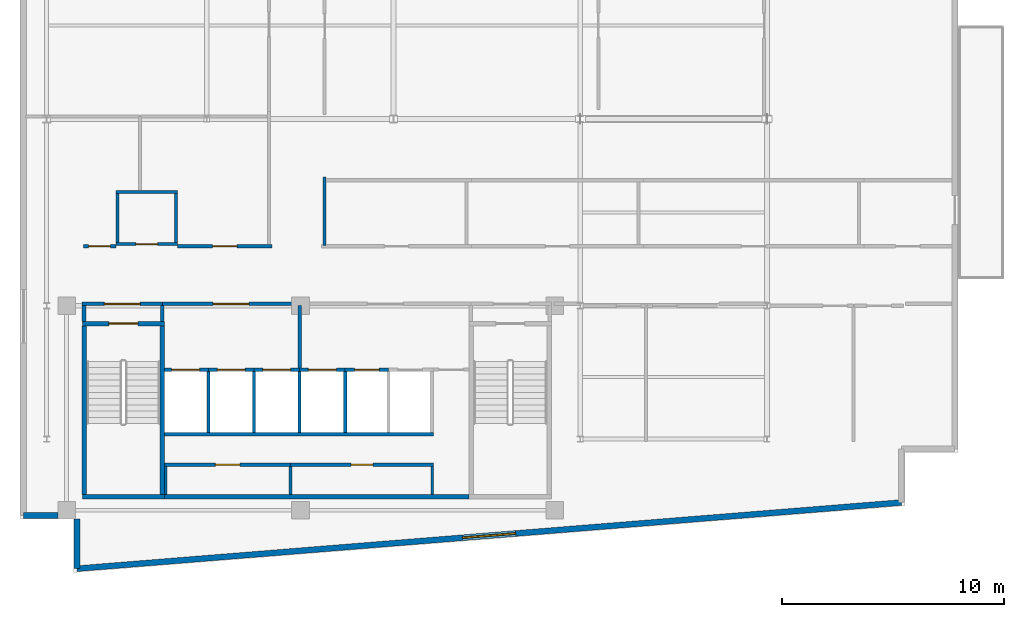
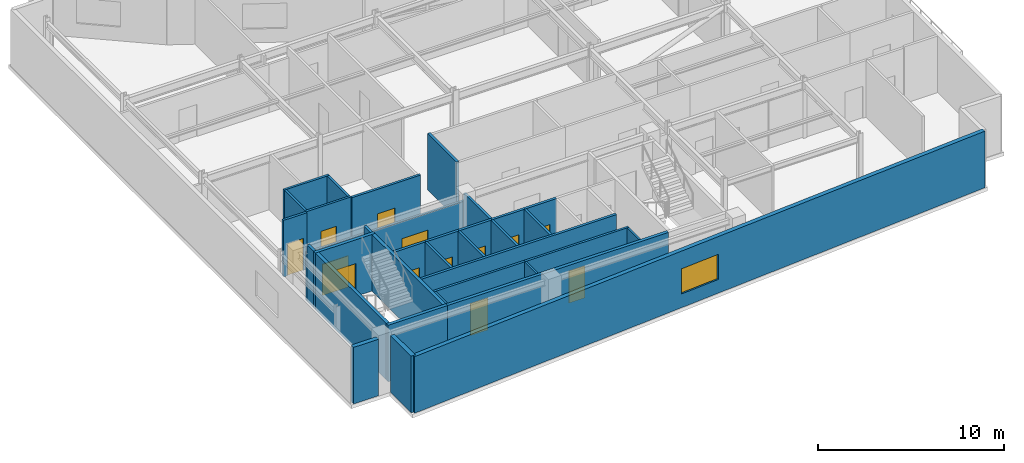
# One storey, part 11 of 17: 35 walls, 13 doors, 1 window, 14 openings.
"""IFC4 building model written with IfcOpenShell, lengths in metres."""

from ifc_helpers import new_model, si_unit, direction, frame, frame_2d, origin, place, context, subcontext, project, spatial, rectangle, extrude, material, layer, layer_set, type_object, element, fill, save


model = new_model("IFC4")

# Units and contexts
model_context = context("Model", 3, precision=1e-05, world=origin(), true_north=direction((0.0, 1.0)))
body_context = subcontext(model_context, "Body", "Model", "MODEL_VIEW")
ifc_project = project(units=[si_unit("LENGTHUNIT", "METRE"), si_unit("AREAUNIT", "SQUARE_METRE"), si_unit("VOLUMEUNIT", "CUBIC_METRE"), si_unit("PLANEANGLEUNIT", "RADIAN"), si_unit("MASSUNIT", "GRAM", prefix="KILO")], contexts=[model_context])

# Site, building, storey
site_placement = place(None, origin())
site = spatial("IfcSite", under=ifc_project, at=site_placement, CompositionType="ELEMENT")
building_placement = place(site_placement, origin())
building = spatial("IfcBuilding", under=site, at=building_placement, Name="Varnakote Quay Hospital", CompositionType="ELEMENT")
storey_placement = place(building_placement, frame((0.0, 0.0, 256.550048828125)))
storey = spatial("IfcBuildingStorey", under=building, at=storey_placement, Name="L63", CompositionType="ELEMENT", Elevation=256.550048828125)

# Wall
ifc_material_1 = material(Name="Fire-rated acoustic gypsum stud wall", Category="gypsum")
ifc_layer_1 = layer(ifc_material_1, 0.159912109375)
ifc_layer_set_1 = layer_set([ifc_layer_1], Name="Fire-rated acoustic gypsum stud wall")
wall_type_1 = type_object("IfcWallType", Name="WL-COMP-160", PredefinedType="PARTITIONING", material=ifc_layer_set_1)
wall_1_placement = place(storey_placement, frame((2.8798828125, 11.300048828125, 0.0), z_axis=(0.0, 0.0, 1.0), x_axis=(0.0, 1.0, 0.0)))
element("IfcWall", 1, at=wall_1_placement, inside=storey, type_object=wall_type_1, Name="L63 West Stair Vestibule West Wall", PredefinedType="PARTITIONING", context=body_context, shape_type="SweptSolid", body=[
    extrude(rectangle(XDim=0.699951171875, YDim=0.159912109375, at=frame_2d((0.35009765625, 0.0))), origin(), (0.0, 0.0, 1.0), 3.7099609375),
])

# Wall, opening, door
wall_2_placement = place(storey_placement, frame((2.800048828125, 12.080078125, 0.0), z_axis=(0.0, 0.0, 1.0), x_axis=(1.0, 0.0, 0.0)))
wall_2 = element("IfcWall", 2, at=wall_2_placement, inside=storey, type_object=wall_type_1, Name="L63 West Stair Vestibule Smoke Wall", PredefinedType="PARTITIONING", context=body_context, shape_type="SweptSolid", body=[
    extrude(rectangle(XDim=3.599853515625, YDim=0.159912109375, at=frame_2d((1.7998046875, 0.0))), origin(), (0.0, 0.0, 1.0), 3.156982421875),
])
opening_1_placement = place(wall_2_placement, frame((1.0, 0.0, 0.0)))
opening_1 = element("IfcOpeningElement", 3, at=opening_1_placement, cuts=wall_2, Name="Opening D-ST1L-L63", PredefinedType="OPENING", context=body_context, shape_type="SweptSolid", body=[
    extrude(rectangle(XDim=1.60009765625, YDim=2.050048828125, at=frame_2d((0.800048828125, 1.02490234375))), frame((0.0, 0.08984375, 0.0), z_axis=(0.0, -1.0, 0.0), x_axis=(1.0, 0.0, 0.0)), (0.0, 0.0, 1.0), 0.179931640625),
])
ifc_material_2 = material(Name="Fire-rated double smoke lobby door")
door_type_1 = type_object("IfcDoorType", Name="DR-LOBBY-FD60S-1600x2150", OperationType="NOTDEFINED", PredefinedType="DOOR", material=ifc_material_2)
door_1_placement = place(opening_1_placement, origin())
door_1 = element("IfcDoor", 4, at=door_1_placement, inside=storey, type_object=door_type_1, Name="L63 West Stair Vestibule Smoke Door", OperationType="DOUBLE_DOOR_SINGLE_SWING", OverallHeight=2.050048828125, OverallWidth=1.60009765625, PredefinedType="DOOR", context=body_context, shape_type="SweptSolid", body=[
    extrude(rectangle(XDim=1.60009765625, YDim=2.050048828125, at=frame_2d((0.800048828125, 1.02490234375))), frame((0.0, 0.02490234375, 0.0), z_axis=(0.0, -1.0, 0.0), x_axis=(1.0, 0.0, 0.0)), (0.0, 0.0, 1.0), 0.050048828125),
])
fill(opening_1, door_1)

# Wall
wall_3_placement = place(storey_placement, frame((6.39990234375, 11.300048828125, 0.0), z_axis=(0.0, 0.0, 1.0), x_axis=(0.0, 1.0, 0.0)))
element("IfcWall", 5, at=wall_3_placement, inside=storey, type_object=wall_type_1, Name="L63 Firefighting Lobby West Wall", PredefinedType="PARTITIONING", context=body_context, shape_type="SweptSolid", body=[
    extrude(rectangle(XDim=0.699951171875, YDim=0.159912109375, at=frame_2d((0.35009765625, 0.0))), origin(), (0.0, 0.0, 1.0), 3.7099609375),
])

# Wall, opening, door
wall_4_placement = place(storey_placement, frame((6.39990234375, 12.080078125, 0.0), z_axis=(0.0, 0.0, 1.0), x_axis=(1.0, 0.0, 0.0)))
wall_4 = element("IfcWall", 6, at=wall_4_placement, inside=storey, type_object=wall_type_1, Name="L63 Firefighting Lift Lobby Compartment Wall", PredefinedType="PARTITIONING", context=body_context, shape_type="SweptSolid", body=[
    extrude(rectangle(XDim=6.18017578125, YDim=0.159912109375, at=frame_2d((3.090087890625, 0.0))), origin(), (0.0, 0.0, 1.0), 3.156982421875),
])
opening_2_placement = place(wall_4_placement, frame((2.2900390625, 0.0, 0.0)))
opening_2 = element("IfcOpeningElement", 7, at=opening_2_placement, cuts=wall_4, Name="Opening D-FFL-L63", PredefinedType="OPENING", context=body_context, shape_type="SweptSolid", body=[
    extrude(rectangle(XDim=1.60009765625, YDim=2.050048828125, at=frame_2d((0.800048828125, 1.02490234375))), frame((0.0, 0.08984375, 0.0), z_axis=(0.0, -1.0, 0.0), x_axis=(1.0, 0.0, 0.0)), (0.0, 0.0, 1.0), 0.179931640625),
])
door_2_placement = place(opening_2_placement, origin())
door_2 = element("IfcDoor", 8, at=door_2_placement, inside=storey, type_object=door_type_1, Name="L63 Firefighting Smoke Vestibule Door", OperationType="DOUBLE_DOOR_SINGLE_SWING", OverallHeight=2.050048828125, OverallWidth=1.60009765625, PredefinedType="DOOR", context=body_context, shape_type="SweptSolid", body=[
    extrude(rectangle(XDim=1.60009765625, YDim=2.050048828125, at=frame_2d((0.800048828125, 1.02490234375))), frame((0.0, 0.02490234375, 0.0), z_axis=(0.0, -1.0, 0.0), x_axis=(1.0, 0.0, 0.0)), (0.0, 0.0, 1.0), 0.050048828125),
])
fill(opening_2, door_2)

# Walls
wall_5_placement = place(storey_placement, frame((12.580078125, 9.2099609375, 0.0), z_axis=(0.0, 0.0, 1.0), x_axis=(0.0, 1.0, 0.0)))
element("IfcWall", 9, at=wall_5_placement, inside=storey, type_object=wall_type_1, Name="L63 Firefighting to Service Lobby Wall", PredefinedType="PARTITIONING", context=body_context, shape_type="SweptSolid", body=[
    extrude(rectangle(XDim=2.7900390625, YDim=0.159912109375, at=frame_2d((1.39501953125, 0.0))), origin(), (0.0, 0.0, 1.0), 3.7099609375),
])
ifc_material_3 = material(Name="Concrete N50 (f'c 50 MPa)", Category="concrete")
ifc_layer_2 = layer(ifc_material_3, 0.199951171875)
ifc_layer_set_2 = layer_set([ifc_layer_2], Name="Concrete N50 (f'c 50 MPa)")
wall_type_2 = type_object("IfcWallType", Name="WL-CORE-N50-200", PredefinedType="SHEAR", material=ifc_layer_set_2)
wall_6_placement = place(storey_placement, frame((6.5, 3.39990234375, 0.0), z_axis=(0.0, 0.0, 1.0), x_axis=(1.0, 0.0, 0.0)))
element("IfcWall", 10, at=wall_6_placement, inside=storey, type_object=wall_type_2, Name="L63 Rear Core South Shear Wall", PredefinedType="SHEAR", context=body_context, shape_type="SweptSolid", body=[
    extrude(rectangle(XDim=13.699951171875, YDim=0.199951171875, at=frame_2d((6.85009765625, 0.0))), origin(), (0.0, 0.0, 1.0), 3.7099609375),
])
ifc_material_4 = material(Name="Precast concrete N50 (f'c 50 MPa)", Category="concrete")
ifc_layer_3 = layer(ifc_material_4, 0.260009765625)
ifc_layer_set_3 = layer_set([ifc_layer_3], Name="Precast concrete N50 (f'c 50 MPa)")
wall_type_3 = type_object("IfcWallType", Name="WL-EXT-BRICK-260", PredefinedType="STANDARD", material=ifc_layer_set_3)
wall_7_placement = place(storey_placement, frame((2.56005859375, 2.4150390625, 0.0), z_axis=(0.0, 0.0, 1.0), x_axis=(0.0, -1.0, 0.0)))
element("IfcWall", 11, at=wall_7_placement, inside=storey, type_object=wall_type_3, Name="L63 Brick-Faced Precast Exterior Wall", PredefinedType="STANDARD", context=body_context, shape_type="SweptSolid", body=[
    extrude(rectangle(XDim=2.24169921875, YDim=0.260009765625, at=frame_2d((1.120849609375, 0.0))), origin(), (0.0, 0.0, 1.0), 3.7099609375),
])

# Wall, opening, window
wall_8_placement = place(storey_placement, frame((2.56005859375, 0.17333984375, 0.0), z_axis=(0.0, 0.0, 1.0), x_axis=(0.996798206282, 0.079958338856, 0.0)))
wall_8 = element("IfcWall", 12, at=wall_8_placement, inside=storey, type_object=wall_type_3, Name="L63 Brick-Faced Precast Exterior Wall", PredefinedType="STANDARD", context=body_context, shape_type="SweptSolid", body=[
    extrude(rectangle(XDim=37.198974609375, YDim=0.260009765625, at=frame_2d((18.599609375, 0.0))), origin(), (0.0, 0.0, 1.0), 3.7099609375),
])
opening_3_placement = place(wall_8_placement, frame((17.399658203125, 0.0, 0.89990234375)))
opening_3 = element("IfcOpeningElement", 13, at=opening_3_placement, cuts=wall_8, Name="Opening WN-0254", PredefinedType="OPENING", context=body_context, shape_type="SweptSolid", body=[
    extrude(rectangle(XDim=2.39990234375, YDim=1.64990234375, at=frame_2d((1.199951171875, 0.824951171875))), frame((0.0, 0.139892578125, 0.0), z_axis=(0.0, -1.0, 0.0), x_axis=(1.0, 0.0, 0.0)), (0.0, 0.0, 1.0), 0.280029296875),
])
ifc_material_5 = material(Name="Double-glazed low-E solar glass", Category="glass")
window_type = type_object("IfcWindowType", Name="WIN-CLIN-2400x1650", PartitioningType="SINGLE_PANEL", PredefinedType="WINDOW", material=ifc_material_5)
window_placement = place(opening_3_placement, origin())
window = element("IfcWindow", 14, at=window_placement, inside=storey, type_object=window_type, Name="L63 Solar-Control Clinical Window", OverallHeight=1.64990234375, OverallWidth=2.39990234375, PartitioningType="SINGLE_PANEL", PredefinedType="WINDOW", context=body_context, shape_type="SweptSolid", body=[
    extrude(rectangle(XDim=2.39990234375, YDim=1.64990234375, at=frame_2d((1.199951171875, 0.824951171875))), frame((0.0, 0.030029296875, 0.0), z_axis=(0.0, -1.0, 0.0), x_axis=(1.0, 0.0, 0.0)), (0.0, 0.0, 1.0), 0.06005859375),
])
fill(opening_3, window)

# Walls
wall_9_placement = place(storey_placement, frame((0.159912109375, 2.56005859375, 0.0), z_axis=(0.0, 0.0, 1.0), x_axis=(1.0, 0.0, 0.0)))
element("IfcWall", 15, at=wall_9_placement, inside=storey, type_object=wall_type_3, Name="L63 Brick-Faced Precast Exterior Wall", PredefinedType="STANDARD", context=body_context, shape_type="SweptSolid", body=[
    extrude(rectangle(XDim=1.55517578125, YDim=0.260009765625, at=frame_2d((0.777587890625, 0.0))), origin(), (0.0, 0.0, 1.0), 3.7099609375),
])
ifc_material_6 = material(Name="Concrete N50 (f'c 50 MPa)", Category="concrete")
ifc_layer_4 = layer(ifc_material_6, 0.14990234375)
ifc_layer_set_4 = layer_set([ifc_layer_4], Name="Concrete N50 (f'c 50 MPa)")
wall_type_4 = type_object("IfcWallType", Name="WL-SHAFT-N50-150", PredefinedType="SHEAR", material=ifc_layer_set_4)
for number, where, z_axis, x_axis, name in (
    (16, (8.47509765625, 6.300048828125, 0.0), (0.0, 0.0, 1.0), (0.0, 1.0, 0.0), "L63 LF-FF1 Hoistway Divider Wall"),
    (17, (10.52490234375, 6.300048828125, 0.0), (0.0, 0.0, 1.0), (0.0, 1.0, 0.0), "L63 LF-FF2 Hoistway Divider Wall"),
    (18, (12.574951171875, 6.300048828125, 0.0), (0.0, 0.0, 1.0), (0.0, 1.0, 0.0), "L63 LF-SV1 Hoistway Divider Wall"),
    (19, (14.625, 6.300048828125, 0.0), (0.0, 0.0, 1.0), (0.0, 1.0, 0.0), "L63 LF-SV2 Hoistway Divider Wall"),
):
    element("IfcWall", number, at=place(storey_placement, frame(where, z_axis=z_axis, x_axis=x_axis)), inside=storey, type_object=wall_type_4, Name=name, PredefinedType="SHEAR", context=body_context, shape_type="SweptSolid", body=[
        extrude(rectangle(XDim=2.75, YDim=0.14990234375, at=frame_2d((1.375, 0.0))), origin(), (0.0, 0.0, 1.0), 3.7099609375),
    ])
ifc_material_7 = material(Name="Concrete N50 (f'c 50 MPa)", Category="concrete")
ifc_layer_5 = layer(ifc_material_7, 0.159912109375)
ifc_layer_set_5 = layer_set([ifc_layer_5], Name="Concrete N50 (f'c 50 MPa)")
wall_type_5 = type_object("IfcWallType", Name="WL-SHAFT-N50-160", PredefinedType="SHEAR", material=ifc_layer_set_5)
wall_10_placement = place(storey_placement, frame((6.5, 6.219970703125, 0.0), z_axis=(0.0, 0.0, 1.0), x_axis=(1.0, 0.0, 0.0)))
element("IfcWall", 20, at=wall_10_placement, inside=storey, type_object=wall_type_5, Name="L63 REAR Lift Bank Back Shear Wall", PredefinedType="SHEAR", context=body_context, shape_type="SweptSolid", body=[
    extrude(rectangle(XDim=12.110107421875, YDim=0.159912109375, at=frame_2d((6.05517578125, 0.0))), origin(), (0.0, 0.0, 1.0), 3.7099609375),
])

# Wall, opening, door
wall_11_placement = place(storey_placement, frame((6.5, 9.1298828125, 0.0), z_axis=(0.0, 0.0, 1.0), x_axis=(1.0, 0.0, 0.0)))
wall_11 = element("IfcWall", 21, at=wall_11_placement, inside=storey, type_object=wall_type_5, Name="L63 LF-FF1 Hoistway Front Wall", PredefinedType="SHEAR", context=body_context, shape_type="SweptSolid", body=[
    extrude(rectangle(XDim=1.97509765625, YDim=0.159912109375, at=frame_2d((0.987548828125, 0.0))), origin(), (0.0, 0.0, 1.0), 3.7099609375),
])
opening_4_placement = place(wall_11_placement, frame((0.324951171875, 0.0, 0.0)))
opening_4 = element("IfcOpeningElement", 22, at=opening_4_placement, cuts=wall_11, Name="Opening LD-FF1-L63", PredefinedType="OPENING", context=body_context, shape_type="SweptSolid", body=[
    extrude(rectangle(XDim=1.25, YDim=2.14990234375, at=frame_2d((0.625, 1.074951171875))), frame((0.0, 0.08984375, 0.0), z_axis=(0.0, -1.0, 0.0), x_axis=(1.0, 0.0, 0.0)), (0.0, 0.0, 1.0), 0.179931640625),
])
ifc_material_8 = material(Name="Stainless steel lift landing sliding door", Category="steel")
door_type_2 = type_object("IfcDoorType", Name="DR-LIFT-LD-1250x2150", OperationType="NOTDEFINED", PredefinedType="DOOR", material=ifc_material_8)
door_3_placement = place(opening_4_placement, origin())
door_3 = element("IfcDoor", 23, at=door_3_placement, inside=storey, type_object=door_type_2, Name="L63 LF-FF1 Lift Landing Sliding Door", OperationType="SLIDING_TO_LEFT", OverallHeight=2.14990234375, OverallWidth=1.25, PredefinedType="DOOR", context=body_context, shape_type="SweptSolid", body=[
    extrude(rectangle(XDim=1.25, YDim=2.14990234375, at=frame_2d((0.625, 1.074951171875))), frame((0.0, 0.02490234375, 0.0), z_axis=(0.0, -1.0, 0.0), x_axis=(1.0, 0.0, 0.0)), (0.0, 0.0, 1.0), 0.050048828125),
])
fill(opening_4, door_3)

wall_12_placement = place(storey_placement, frame((8.47509765625, 9.1298828125, 0.0), z_axis=(0.0, 0.0, 1.0), x_axis=(1.0, 0.0, 0.0)))
wall_12 = element("IfcWall", 24, at=wall_12_placement, inside=storey, type_object=wall_type_5, Name="L63 LF-FF2 Hoistway Front Wall", PredefinedType="SHEAR", context=body_context, shape_type="SweptSolid", body=[
    extrude(rectangle(XDim=2.0498046875, YDim=0.159912109375, at=frame_2d((1.02490234375, 0.0))), origin(), (0.0, 0.0, 1.0), 3.7099609375),
])
opening_5_placement = place(wall_12_placement, frame((0.39990234375, 0.0, 0.0)))
opening_5 = element("IfcOpeningElement", 25, at=opening_5_placement, cuts=wall_12, Name="Opening LD-FF2-L63", PredefinedType="OPENING", context=body_context, shape_type="SweptSolid", body=[
    extrude(rectangle(XDim=1.25, YDim=2.14990234375, at=frame_2d((0.625, 1.074951171875))), frame((0.0, 0.08984375, 0.0), z_axis=(0.0, -1.0, 0.0), x_axis=(1.0, 0.0, 0.0)), (0.0, 0.0, 1.0), 0.179931640625),
])
door_4_placement = place(opening_5_placement, origin())
door_4 = element("IfcDoor", 26, at=door_4_placement, inside=storey, type_object=door_type_2, Name="L63 LF-FF2 Lift Landing Sliding Door", OperationType="SLIDING_TO_LEFT", OverallHeight=2.14990234375, OverallWidth=1.25, PredefinedType="DOOR", context=body_context, shape_type="SweptSolid", body=[
    extrude(rectangle(XDim=1.25, YDim=2.14990234375, at=frame_2d((0.625, 1.074951171875))), frame((0.0, 0.02490234375, 0.0), z_axis=(0.0, -1.0, 0.0), x_axis=(1.0, 0.0, 0.0)), (0.0, 0.0, 1.0), 0.050048828125),
])
fill(opening_5, door_4)

wall_13_placement = place(storey_placement, frame((10.52490234375, 9.1298828125, 0.0), z_axis=(0.0, 0.0, 1.0), x_axis=(1.0, 0.0, 0.0)))
wall_13 = element("IfcWall", 27, at=wall_13_placement, inside=storey, type_object=wall_type_5, Name="L63 LF-SV1 Hoistway Front Wall", PredefinedType="SHEAR", context=body_context, shape_type="SweptSolid", body=[
    extrude(rectangle(XDim=2.050048828125, YDim=0.159912109375, at=frame_2d((1.02490234375, 0.0))), origin(), (0.0, 0.0, 1.0), 3.7099609375),
])
opening_6_placement = place(wall_13_placement, frame((0.39990234375, 0.0, 0.0)))
opening_6 = element("IfcOpeningElement", 28, at=opening_6_placement, cuts=wall_13, Name="Opening LD-SV1-L63", PredefinedType="OPENING", context=body_context, shape_type="SweptSolid", body=[
    extrude(rectangle(XDim=1.25, YDim=2.14990234375, at=frame_2d((0.625, 1.074951171875))), frame((0.0, 0.08984375, 0.0), z_axis=(0.0, -1.0, 0.0), x_axis=(1.0, 0.0, 0.0)), (0.0, 0.0, 1.0), 0.179931640625),
])
door_5_placement = place(opening_6_placement, origin())
door_5 = element("IfcDoor", 29, at=door_5_placement, inside=storey, type_object=door_type_2, Name="L63 LF-SV1 Lift Landing Sliding Door", OperationType="SLIDING_TO_LEFT", OverallHeight=2.14990234375, OverallWidth=1.25, PredefinedType="DOOR", context=body_context, shape_type="SweptSolid", body=[
    extrude(rectangle(XDim=1.25, YDim=2.14990234375, at=frame_2d((0.625, 1.074951171875))), frame((0.0, 0.02490234375, 0.0), z_axis=(0.0, -1.0, 0.0), x_axis=(1.0, 0.0, 0.0)), (0.0, 0.0, 1.0), 0.050048828125),
])
fill(opening_6, door_5)

wall_14_placement = place(storey_placement, frame((12.574951171875, 9.1298828125, 0.0), z_axis=(0.0, 0.0, 1.0), x_axis=(1.0, 0.0, 0.0)))
wall_14 = element("IfcWall", 30, at=wall_14_placement, inside=storey, type_object=wall_type_5, Name="L63 LF-SV2 Hoistway Front Wall", PredefinedType="SHEAR", context=body_context, shape_type="SweptSolid", body=[
    extrude(rectangle(XDim=2.050048828125, YDim=0.159912109375, at=frame_2d((1.02490234375, 0.0))), origin(), (0.0, 0.0, 1.0), 3.7099609375),
])
opening_7_placement = place(wall_14_placement, frame((0.39990234375, 0.0, 0.0)))
opening_7 = element("IfcOpeningElement", 31, at=opening_7_placement, cuts=wall_14, Name="Opening LD-SV2-L63", PredefinedType="OPENING", context=body_context, shape_type="SweptSolid", body=[
    extrude(rectangle(XDim=1.25, YDim=2.14990234375, at=frame_2d((0.625, 1.074951171875))), frame((0.0, 0.08984375, 0.0), z_axis=(0.0, -1.0, 0.0), x_axis=(1.0, 0.0, 0.0)), (0.0, 0.0, 1.0), 0.179931640625),
])
door_6_placement = place(opening_7_placement, origin())
door_6 = element("IfcDoor", 32, at=door_6_placement, inside=storey, type_object=door_type_2, Name="L63 LF-SV2 Lift Landing Sliding Door", OperationType="SLIDING_TO_LEFT", OverallHeight=2.14990234375, OverallWidth=1.25, PredefinedType="DOOR", context=body_context, shape_type="SweptSolid", body=[
    extrude(rectangle(XDim=1.25, YDim=2.14990234375, at=frame_2d((0.625, 1.074951171875))), frame((0.0, 0.02490234375, 0.0), z_axis=(0.0, -1.0, 0.0), x_axis=(1.0, 0.0, 0.0)), (0.0, 0.0, 1.0), 0.050048828125),
])
fill(opening_7, door_6)

wall_15_placement = place(storey_placement, frame((14.625, 9.1298828125, 0.0), z_axis=(0.0, 0.0, 1.0), x_axis=(1.0, 0.0, 0.0)))
wall_15 = element("IfcWall", 33, at=wall_15_placement, inside=storey, type_object=wall_type_5, Name="L63 LF-PH1 Hoistway Front Wall", PredefinedType="SHEAR", context=body_context, shape_type="SweptSolid", body=[
    extrude(rectangle(XDim=1.949951171875, YDim=0.159912109375, at=frame_2d((0.97509765625, 0.0))), origin(), (0.0, 0.0, 1.0), 3.7099609375),
])
opening_8_placement = place(wall_15_placement, frame((0.425048828125, 0.0, 0.0)))
opening_8 = element("IfcOpeningElement", 34, at=opening_8_placement, cuts=wall_15, Name="Opening LD-PH1-L63", PredefinedType="OPENING", context=body_context, shape_type="SweptSolid", body=[
    extrude(rectangle(XDim=1.10009765625, YDim=2.14990234375, at=frame_2d((0.550048828125, 1.074951171875))), frame((0.0, 0.08984375, 0.0), z_axis=(0.0, -1.0, 0.0), x_axis=(1.0, 0.0, 0.0)), (0.0, 0.0, 1.0), 0.179931640625),
])
ifc_material_9 = material(Name="Brushed bronze lift landing sliding door")
door_type_3 = type_object("IfcDoorType", Name="DR-LIFT-LD-1100x2150", OperationType="NOTDEFINED", PredefinedType="DOOR", material=ifc_material_9)
door_7_placement = place(opening_8_placement, origin())
door_7 = element("IfcDoor", 35, at=door_7_placement, inside=storey, type_object=door_type_3, Name="L63 LF-PH1 Lift Landing Sliding Door", OperationType="SLIDING_TO_LEFT", OverallHeight=2.14990234375, OverallWidth=1.10009765625, PredefinedType="DOOR", context=body_context, shape_type="SweptSolid", body=[
    extrude(rectangle(XDim=1.10009765625, YDim=2.14990234375, at=frame_2d((0.550048828125, 1.074951171875))), frame((0.0, 0.02490234375, 0.0), z_axis=(0.0, -1.0, 0.0), x_axis=(1.0, 0.0, 0.0)), (0.0, 0.0, 1.0), 0.050048828125),
])
fill(opening_8, door_7)

# Walls
ifc_material_10 = material(Name="Concrete N50 (f'c 50 MPa)", Category="concrete")
ifc_layer_6 = layer(ifc_material_10, 0.199951171875)
ifc_layer_set_6 = layer_set([ifc_layer_6], Name="Concrete N50 (f'c 50 MPa)")
wall_type_6 = type_object("IfcWallType", Name="WL-SHAFT-N50-200", PredefinedType="SHEAR", material=ifc_layer_set_6)
wall_16_placement = place(storey_placement, frame((2.800048828125, 3.39990234375, 0.0), z_axis=(0.0, 0.0, 1.0), x_axis=(1.0, 0.0, 0.0)))
element("IfcWall", 36, at=wall_16_placement, inside=storey, type_object=wall_type_6, Name="L63 Stair ST1 South Shaft Wall", PredefinedType="SHEAR", context=body_context, shape_type="SweptSolid", body=[
    extrude(rectangle(XDim=3.699951171875, YDim=0.199951171875, at=frame_2d((1.85009765625, 0.0))), origin(), (0.0, 0.0, 1.0), 3.7099609375),
])
for number, where, z_axis, x_axis, name in (
    (37, (2.89990234375, 3.5, 0.0), (0.0, 0.0, 1.0), (0.0, 1.0, 0.0), "L63 Stair ST1 West Shaft Wall"),
    (38, (6.39990234375, 3.5, 0.0), (0.0, 0.0, 1.0), (0.0, 1.0, 0.0), "L63 Stair ST1 East Shaft Wall"),
):
    element("IfcWall", number, at=place(storey_placement, frame(where, z_axis=z_axis, x_axis=x_axis)), inside=storey, type_object=wall_type_6, Name=name, PredefinedType="SHEAR", context=body_context, shape_type="SweptSolid", body=[
        extrude(rectangle(XDim=7.60009765625, YDim=0.199951171875, at=frame_2d((3.800048828125, 0.0))), origin(), (0.0, 0.0, 1.0), 3.7099609375),
    ])

# Wall, opening, door
wall_17_placement = place(storey_placement, frame((2.800048828125, 11.199951171875, 0.0), z_axis=(0.0, 0.0, 1.0), x_axis=(1.0, 0.0, 0.0)))
wall_17 = element("IfcWall", 39, at=wall_17_placement, inside=storey, type_object=wall_type_6, Name="L63 Stair ST1 Exit Wall", PredefinedType="SHEAR", context=body_context, shape_type="SweptSolid", body=[
    extrude(rectangle(XDim=3.699951171875, YDim=0.199951171875, at=frame_2d((1.85009765625, 0.0))), origin(), (0.0, 0.0, 1.0), 3.7099609375),
])
opening_9_placement = place(wall_17_placement, frame((1.199951171875, 0.0, 0.0)))
opening_9 = element("IfcOpeningElement", 40, at=opening_9_placement, cuts=wall_17, Name="Opening D-ST1-L63", PredefinedType="OPENING", context=body_context, shape_type="SweptSolid", body=[
    extrude(rectangle(XDim=1.300048828125, YDim=2.14990234375, at=frame_2d((0.64990234375, 1.074951171875))), frame((0.0, 0.10986328125, 0.0), z_axis=(0.0, -1.0, 0.0), x_axis=(1.0, 0.0, 0.0)), (0.0, 0.0, 1.0), 0.219970703125),
])
ifc_material_11 = material(Name="Fire-rated ceramic-glazed timber exit door", Category="wood")
door_type_4 = type_object("IfcDoorType", Name="DR-STAIR-FD60S-1300x2150", OperationType="NOTDEFINED", PredefinedType="DOOR", material=ifc_material_11)
door_8_placement = place(opening_9_placement, origin())
door_8 = element("IfcDoor", 41, at=door_8_placement, inside=storey, type_object=door_type_4, Name="L63 Stair ST1 Fire Exit Door", OperationType="SINGLE_SWING_RIGHT", OverallHeight=2.14990234375, OverallWidth=1.300048828125, PredefinedType="DOOR", context=body_context, shape_type="SweptSolid", body=[
    extrude(rectangle(XDim=1.300048828125, YDim=2.14990234375, at=frame_2d((0.64990234375, 1.074951171875))), frame((0.0, 0.02490234375, 0.0), z_axis=(0.0, -1.0, 0.0), x_axis=(1.0, 0.0, 0.0)), (0.0, 0.0, 1.0), 0.050048828125),
])
fill(opening_9, door_8)

# Walls
ifc_material_12 = material(Name="Smoke-proof clinical partition", Category="gypsum")
ifc_layer_7 = layer(ifc_material_12, 0.1201171875)
ifc_layer_set_7 = layer_set([ifc_layer_7], Name="Smoke-proof clinical partition")
wall_type_7 = type_object("IfcWallType", Name="WL-SMOKE-120", PredefinedType="PARTITIONING", material=ifc_layer_set_7)
for number, where, z_axis, x_axis, name in (
    (42, (6.56005859375, 3.52001953125, 0.0), (0.0, 0.0, 1.0), (0.0, 1.0, 0.0), "L63 Core South Service West Wall"),
    (43, (12.169921875, 3.52001953125, 0.0), (0.0, 0.0, 1.0), (0.0, 1.0, 0.0), "L63 Core South Service Divider"),
    (44, (18.5400390625, 3.52001953125, 0.0), (0.0, 0.0, 1.0), (0.0, 1.0, 0.0), "L63 Core South Service East Wall"),
):
    element("IfcWall", number, at=place(storey_placement, frame(where, z_axis=z_axis, x_axis=x_axis)), inside=storey, type_object=wall_type_7, Name=name, PredefinedType="PARTITIONING", context=body_context, shape_type="SweptSolid", body=[
        extrude(rectangle(XDim=1.260009765625, YDim=0.1201171875, at=frame_2d((0.6298828125, 0.0))), origin(), (0.0, 0.0, 1.0), 3.7099609375),
    ])

# Wall, opening, door
ifc_material_13 = material(Name="Fire-rated clinical gypsum partition", Category="gypsum")
ifc_layer_8 = layer(ifc_material_13, 0.139892578125)
ifc_layer_set_8 = layer_set([ifc_layer_8], Name="Fire-rated clinical gypsum partition")
wall_type_8 = type_object("IfcWallType", Name="WL-WARD-140", PredefinedType="PARTITIONING", material=ifc_layer_set_8)
wall_18_placement = place(storey_placement, frame((6.5, 4.85009765625, 0.0), z_axis=(0.0, 0.0, 1.0), x_axis=(1.0, 0.0, 0.0)))
wall_18 = element("IfcWall", 45, at=wall_18_placement, inside=storey, type_object=wall_type_8, Name="L63 Core Clean Linen Store North Wall", PredefinedType="PARTITIONING", context=body_context, shape_type="SweptSolid", body=[
    extrude(rectangle(XDim=5.669921875, YDim=0.139892578125, at=frame_2d((2.8349609375, 0.0))), origin(), (0.0, 0.0, 1.0), 3.7099609375),
])
opening_10_placement = place(wall_18_placement, frame((2.284912109375, 0.0, 0.0)))
opening_10 = element("IfcOpeningElement", 46, at=opening_10_placement, cuts=wall_18, Name="Opening D-L63-CR01", PredefinedType="OPENING", context=body_context, shape_type="SweptSolid", body=[
    extrude(rectangle(XDim=1.10009765625, YDim=2.10009765625, at=frame_2d((0.550048828125, 1.050048828125))), frame((0.0, 0.079833984375, 0.0), z_axis=(0.0, -1.0, 0.0), x_axis=(1.0, 0.0, 0.0)), (0.0, 0.0, 1.0), 0.159912109375),
])
ifc_material_14 = material(Name="Acoustic timber clinical consult door", Category="wood")
door_type_5 = type_object("IfcDoorType", Name="DR-CLIN-FD30S-1100x2100", OperationType="NOTDEFINED", PredefinedType="DOOR", material=ifc_material_14)
door_9_placement = place(opening_10_placement, origin())
door_9 = element("IfcDoor", 47, at=door_9_placement, inside=storey, type_object=door_type_5, Name="L63 Core Clean Linen Store Door", OperationType="SINGLE_SWING_RIGHT", OverallHeight=2.10009765625, OverallWidth=1.10009765625, PredefinedType="DOOR", context=body_context, shape_type="SweptSolid", body=[
    extrude(rectangle(XDim=1.10009765625, YDim=2.10009765625, at=frame_2d((0.550048828125, 1.050048828125))), frame((0.0, 0.02490234375, 0.0), z_axis=(0.0, -1.0, 0.0), x_axis=(1.0, 0.0, 0.0)), (0.0, 0.0, 1.0), 0.050048828125),
])
fill(opening_10, door_9)

wall_19_placement = place(storey_placement, frame((12.169921875, 4.85009765625, 0.0), z_axis=(0.0, 0.0, 1.0), x_axis=(1.0, 0.0, 0.0)))
wall_19 = element("IfcWall", 48, at=wall_19_placement, inside=storey, type_object=wall_type_8, Name="L63 Core Staff Sanitary WC North Wall", PredefinedType="PARTITIONING", context=body_context, shape_type="SweptSolid", body=[
    extrude(rectangle(XDim=6.43017578125, YDim=0.139892578125, at=frame_2d((3.215087890625, 0.0))), origin(), (0.0, 0.0, 1.0), 3.7099609375),
])
opening_11_placement = place(wall_19_placement, frame((2.72509765625, 0.0, 0.0)))
opening_11 = element("IfcOpeningElement", 49, at=opening_11_placement, cuts=wall_19, Name="Opening D-L63-CR02", PredefinedType="OPENING", context=body_context, shape_type="SweptSolid", body=[
    extrude(rectangle(XDim=0.97998046875, YDim=2.10009765625, at=frame_2d((0.489990234375, 1.050048828125))), frame((0.0, 0.079833984375, 0.0), z_axis=(0.0, -1.0, 0.0), x_axis=(1.0, 0.0, 0.0)), (0.0, 0.0, 1.0), 0.159912109375),
])
ifc_material_15 = material(Name="Accessible sanitary compartment door")
door_type_6 = type_object("IfcDoorType", Name="DR-WC-980x2100", OperationType="NOTDEFINED", PredefinedType="DOOR", material=ifc_material_15)
door_10_placement = place(opening_11_placement, origin())
door_10 = element("IfcDoor", 50, at=door_10_placement, inside=storey, type_object=door_type_6, Name="L63 Core Staff Sanitary WC Door", OperationType="SINGLE_SWING_LEFT", OverallHeight=2.10009765625, OverallWidth=0.97998046875, PredefinedType="DOOR", context=body_context, shape_type="SweptSolid", body=[
    extrude(rectangle(XDim=0.97998046875, YDim=2.10009765625, at=frame_2d((0.489990234375, 1.050048828125))), frame((0.0, 0.02490234375, 0.0), z_axis=(0.0, -1.0, 0.0), x_axis=(1.0, 0.0, 0.0)), (0.0, 0.0, 1.0), 0.050048828125),
])
fill(opening_11, door_10)

wall_20_placement = place(storey_placement, frame((4.31005859375, 14.77001953125, 0.0), z_axis=(0.0, 0.0, 1.0), x_axis=(1.0, 0.0, 0.0)))
wall_20 = element("IfcWall", 51, at=wall_20_placement, inside=storey, type_object=wall_type_8, Name="L63 Floor Unisex Accessible WC S Wall", PredefinedType="PARTITIONING", context=body_context, shape_type="SweptSolid", body=[
    extrude(rectangle(XDim=2.780029296875, YDim=0.139892578125, at=frame_2d((1.39013671875, 0.0))), origin(), (0.0, 0.0, 1.0), 3.7099609375),
])
opening_12_placement = place(wall_20_placement, frame((0.89990234375, 0.0, 0.0)))
opening_12 = element("IfcOpeningElement", 52, at=opening_12_placement, cuts=wall_20, Name="Opening D-L63-EW01", PredefinedType="OPENING", context=body_context, shape_type="SweptSolid", body=[
    extrude(rectangle(XDim=0.97998046875, YDim=2.10009765625, at=frame_2d((0.489990234375, 1.050048828125))), frame((0.0, 0.079833984375, 0.0), z_axis=(0.0, -1.0, 0.0), x_axis=(1.0, 0.0, 0.0)), (0.0, 0.0, 1.0), 0.159912109375),
])
door_11_placement = place(opening_12_placement, origin())
door_11 = element("IfcDoor", 53, at=door_11_placement, inside=storey, type_object=door_type_6, Name="L63 Floor Unisex Accessible WC Door", OperationType="SINGLE_SWING_LEFT", OverallHeight=2.10009765625, OverallWidth=0.97998046875, PredefinedType="DOOR", context=body_context, shape_type="SweptSolid", body=[
    extrude(rectangle(XDim=0.97998046875, YDim=2.10009765625, at=frame_2d((0.489990234375, 1.050048828125))), frame((0.0, 0.02490234375, 0.0), z_axis=(0.0, -1.0, 0.0), x_axis=(1.0, 0.0, 0.0)), (0.0, 0.0, 1.0), 0.050048828125),
])
fill(opening_12, door_11)

# Walls
wall_21_placement = place(storey_placement, frame((4.31005859375, 17.110107421875, 0.0), z_axis=(0.0, 0.0, 1.0), x_axis=(1.0, 0.0, 0.0)))
element("IfcWall", 54, at=wall_21_placement, inside=storey, type_object=wall_type_8, Name="L63 Floor Unisex Accessible WC N Wall", PredefinedType="PARTITIONING", context=body_context, shape_type="SweptSolid", body=[
    extrude(rectangle(XDim=2.780029296875, YDim=0.139892578125, at=frame_2d((1.39013671875, 0.0))), origin(), (0.0, 0.0, 1.0), 3.7099609375),
])
for number, where, z_axis, x_axis, name in (
    (55, (4.3798828125, 14.840087890625, 0.0), (0.0, 0.0, 1.0), (0.0, 1.0, 0.0), "L63 Floor Unisex Accessible WC W Wall"),
    (56, (7.02001953125, 14.840087890625, 0.0), (0.0, 0.0, 1.0), (0.0, 1.0, 0.0), "L63 Floor Unisex Accessible WC E Wall"),
):
    element("IfcWall", number, at=place(storey_placement, frame(where, z_axis=z_axis, x_axis=x_axis)), inside=storey, type_object=wall_type_8, Name=name, PredefinedType="PARTITIONING", context=body_context, shape_type="SweptSolid", body=[
        extrude(rectangle(XDim=2.199951171875, YDim=0.139892578125, at=frame_2d((1.10009765625, 0.0))), origin(), (0.0, 0.0, 1.0), 3.7099609375),
    ])

# Wall, opening, door
ifc_material_16 = material(Name="Fire-rated clinical gypsum partition", Category="gypsum")
ifc_layer_9 = layer(ifc_material_16, 0.14990234375)
ifc_layer_set_9 = layer_set([ifc_layer_9], Name="Fire-rated clinical gypsum partition")
wall_type_9 = type_object("IfcWallType", Name="WL-WARD-150", PredefinedType="PARTITIONING", material=ifc_layer_set_9)
wall_22_placement = place(storey_placement, frame((4.30810546875, 14.679931640625, 0.0), z_axis=(0.0, 0.0, 1.0), x_axis=(-1.0, 0.0, 0.0)))
wall_22 = element("IfcWall", 57, at=wall_22_placement, inside=storey, type_object=wall_type_9, Name="L63 Clinical Interior Partition", PredefinedType="PARTITIONING", context=body_context, shape_type="SweptSolid", body=[
    extrude(rectangle(XDim=1.4580078125, YDim=0.14990234375, at=frame_2d((0.72900390625, 0.0))), origin(), (0.0, 0.0, 1.0), 3.7099609375),
])
opening_13_placement = place(wall_22_placement, frame((0.239013671875, 0.0, 0.0)))
opening_13 = element("IfcOpeningElement", 58, at=opening_13_placement, cuts=wall_22, Name="Opening D-L63-MD01", PredefinedType="OPENING", context=body_context, shape_type="SweptSolid", body=[
    extrude(rectangle(XDim=0.97998046875, YDim=2.10009765625, at=frame_2d((0.489990234375, 1.050048828125))), frame((0.0, 0.0849609375, 0.0), z_axis=(0.0, -1.0, 0.0), x_axis=(1.0, 0.0, 0.0)), (0.0, 0.0, 1.0), 0.169921875),
])
door_12_placement = place(opening_13_placement, origin())
door_12 = element("IfcDoor", 59, at=door_12_placement, inside=storey, type_object=door_type_6, Name="L63 Ward Nurse Station Office Door", OperationType="SINGLE_SWING_RIGHT", OverallHeight=2.10009765625, OverallWidth=0.97998046875, PredefinedType="DOOR", context=body_context, shape_type="SweptSolid", body=[
    extrude(rectangle(XDim=0.97998046875, YDim=2.10009765625, at=frame_2d((0.489990234375, 1.050048828125))), frame((0.0, 0.02490234375, 0.0), z_axis=(0.0, -1.0, 0.0), x_axis=(1.0, 0.0, 0.0)), (0.0, 0.0, 1.0), 0.050048828125),
])
fill(opening_13, door_12)

wall_23_placement = place(storey_placement, frame((11.345947265625, 14.679931640625, 0.0), z_axis=(0.0, 0.0, 1.0), x_axis=(-1.0, 0.0, 0.0)))
wall_23 = element("IfcWall", 60, at=wall_23_placement, inside=storey, type_object=wall_type_9, Name="L63 Clinical Interior Partition", PredefinedType="PARTITIONING", context=body_context, shape_type="SweptSolid", body=[
    extrude(rectangle(XDim=4.25390625, YDim=0.14990234375, at=frame_2d((2.126953125, 0.0))), origin(), (0.0, 0.0, 1.0), 3.7099609375),
])
opening_14_placement = place(wall_23_placement, frame((1.576904296875, 0.0, 0.0)))
opening_14 = element("IfcOpeningElement", 61, at=opening_14_placement, cuts=wall_23, Name="Opening D-L63-MD02", PredefinedType="OPENING", context=body_context, shape_type="SweptSolid", body=[
    extrude(rectangle(XDim=1.10009765625, YDim=2.10009765625, at=frame_2d((0.550048828125, 1.050048828125))), frame((0.0, 0.0849609375, 0.0), z_axis=(0.0, -1.0, 0.0), x_axis=(1.0, 0.0, 0.0)), (0.0, 0.0, 1.0), 0.169921875),
])
door_13_placement = place(opening_14_placement, origin())
door_13 = element("IfcDoor", 62, at=door_13_placement, inside=storey, type_object=door_type_5, Name="L63 High-Acuity Step-Down Treatment Suite Door", OperationType="SINGLE_SWING_LEFT", OverallHeight=2.10009765625, OverallWidth=1.10009765625, PredefinedType="DOOR", context=body_context, shape_type="SweptSolid", body=[
    extrude(rectangle(XDim=1.10009765625, YDim=2.10009765625, at=frame_2d((0.550048828125, 1.050048828125))), frame((0.0, 0.02490234375, 0.0), z_axis=(0.0, -1.0, 0.0), x_axis=(1.0, 0.0, 0.0)), (0.0, 0.0, 1.0), 0.050048828125),
])
fill(opening_14, door_13)

# Wall
wall_24_placement = place(storey_placement, frame((13.699951171875, 14.699951171875, 0.0), z_axis=(0.0, 0.0, 1.0), x_axis=(0.0, 1.0, 0.0)))
element("IfcWall", 63, at=wall_24_placement, inside=storey, type_object=wall_type_9, Name="L63 Clinical Interior Partition", PredefinedType="PARTITIONING", context=body_context, shape_type="SweptSolid", body=[
    extrude(rectangle(XDim=3.095947265625, YDim=0.14990234375, at=frame_2d((1.5478515625, 0.0))), origin(), (0.0, 0.0, 1.0), 3.7099609375),
])

save(model, "model.ifc")
